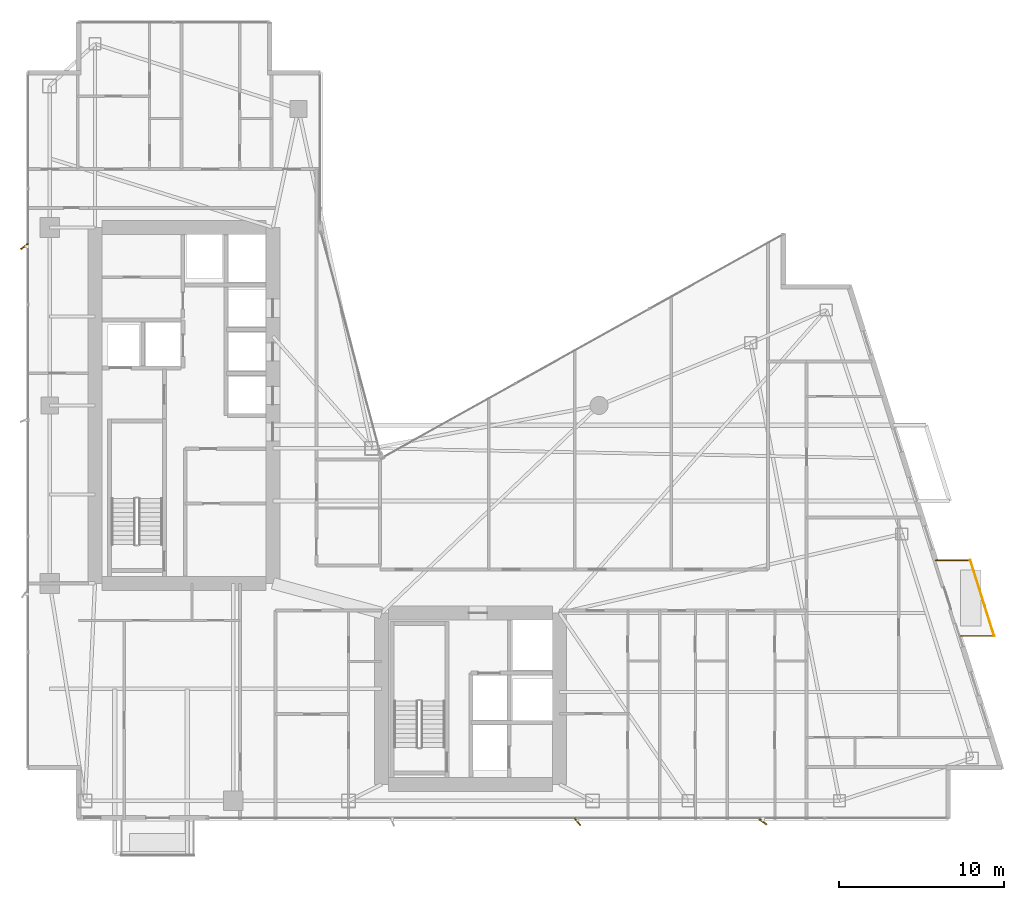
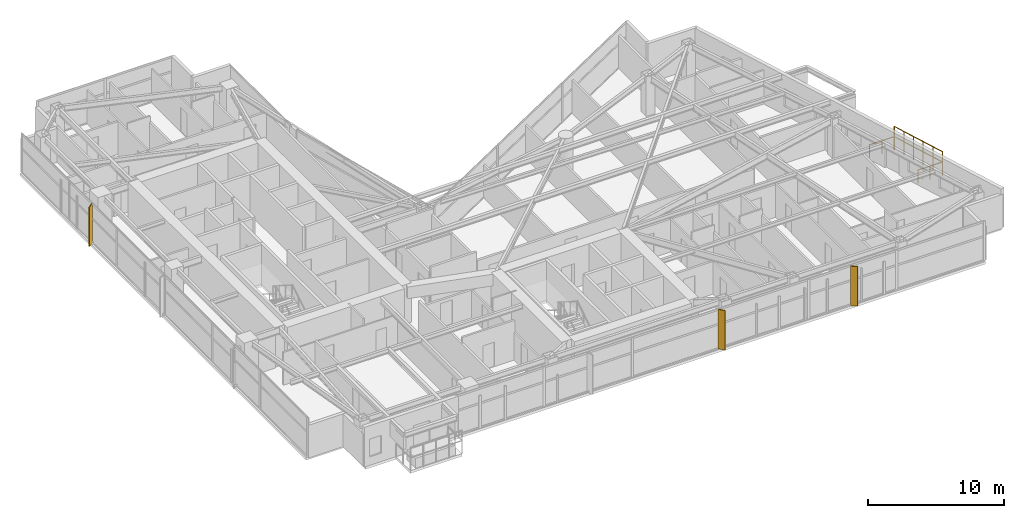
# One storey, part 28 of 28: 3 shading devices, 2 railings.
"""IFC4 building model written with IfcOpenShell, lengths in metres."""

from ifc_helpers import new_model, si_unit, direction, frame, origin, origin_2d, place, context, subcontext, project, spatial, rectangle, circle, extrude, material, type_object, element, save


model = new_model("IFC4")

# Units and contexts
model_context = context("Model", 3, precision=1e-05, world=origin(), true_north=direction((0.0, 1.0)))
body_context = subcontext(model_context, "Body", "Model", "MODEL_VIEW")
ifc_project = project(units=[si_unit("LENGTHUNIT", "METRE"), si_unit("AREAUNIT", "SQUARE_METRE"), si_unit("VOLUMEUNIT", "CUBIC_METRE"), si_unit("PLANEANGLEUNIT", "RADIAN"), si_unit("MASSUNIT", "GRAM", prefix="KILO")], contexts=[model_context])

# Site, building, storey
site_placement = place(None, origin())
site = spatial("IfcSite", under=ifc_project, at=site_placement, CompositionType="ELEMENT")
building_placement = place(site_placement, origin())
building = spatial("IfcBuilding", under=site, at=building_placement, Name="Calvorn Quay Hotel", CompositionType="ELEMENT")
storey_placement = place(building_placement, frame((0.0, 0.0, 178.89990234375)))
storey = spatial("IfcBuildingStorey", under=building, at=storey_placement, Name="L44", CompositionType="ELEMENT", Elevation=178.89990234375)

# Railings
ifc_material_1 = material(Name="Pale Anodised Aluminium and Laminated Glass", Category="aluminium")
railing_type = type_object("IfcRailingType", Name="RLG-BALUSTRADE-1200", PredefinedType="BALUSTRADE", material=ifc_material_1)
railing_1_placement = place(storey_placement, frame((56.68896484375, 13.60009765625, 0.0)))
element("IfcRailing", 1, at=railing_1_placement, inside=storey, type_object=railing_type, Name="Tree Balcony Perimeter Balustrade L44-BALC-E", PredefinedType="BALUSTRADE", context=body_context, shape_type="SweptSolid", body=[
    extrude(circle(Radius=0.02392578125, at=origin_2d()), frame((0.0, 0.0, 1.17578125), z_axis=(1.0, 0.0, 0.0), x_axis=(0.0, 1.0, 0.0)), (0.0, 0.0, 1.0), 2.10009765625),
    extrude(circle(Radius=0.02392578125, at=origin_2d()), frame((2.10009765625, 0.0, 1.17578125), z_axis=(-0.300450487966, 0.953797412599, 0.0), x_axis=(-0.953797412599, -0.300450487966, 0.0)), (0.0, 0.0, 1.0), 4.82275390625),
    extrude(circle(Radius=0.02392578125, at=origin_2d()), frame((0.651123046875, 4.599853515625, 1.17578125), z_axis=(-1.0, 0.0, 0.0), x_axis=(0.0, -1.0, 0.0)), (0.0, 0.0, 1.0), 2.10009765625),
    extrude(circle(Radius=0.02099609375, at=origin_2d()), origin(), (0.0, 0.0, 1.0), 1.15185546875),
    extrude(circle(Radius=0.02099609375, at=origin_2d()), frame((1.050048828125, 0.0, 0.0)), (0.0, 0.0, 1.0), 1.15185546875),
    extrude(circle(Radius=0.02099609375, at=origin_2d()), frame((2.10009765625, 0.0, 0.0)), (0.0, 0.0, 1.0), 1.15185546875),
    extrude(circle(Radius=0.02099609375, at=origin_2d()), frame((1.810302734375, 0.919921875, 0.0)), (0.0, 0.0, 1.0), 1.15185546875),
    extrude(circle(Radius=0.02099609375, at=origin_2d()), frame((1.5205078125, 1.83984375, 0.0)), (0.0, 0.0, 1.0), 1.15185546875),
    extrude(circle(Radius=0.02099609375, at=origin_2d()), frame((1.230712890625, 2.760009765625, 0.0)), (0.0, 0.0, 1.0), 1.15185546875),
    extrude(circle(Radius=0.02099609375, at=origin_2d()), frame((0.94091796875, 3.679931640625, 0.0)), (0.0, 0.0, 1.0), 1.15185546875),
    extrude(circle(Radius=0.02099609375, at=origin_2d()), frame((0.651123046875, 4.599853515625, 0.0)), (0.0, 0.0, 1.0), 1.15185546875),
    extrude(circle(Radius=0.02099609375, at=origin_2d()), frame((-0.39892578125, 4.599853515625, 0.0)), (0.0, 0.0, 1.0), 1.15185546875),
    extrude(circle(Radius=0.02099609375, at=origin_2d()), frame((-1.448974609375, 4.599853515625, 0.0)), (0.0, 0.0, 1.0), 1.15185546875),
])
railing_2_placement = place(storey_placement, frame((58.7890625, 13.60009765625, 0.900146484375)))
element("IfcRailing", 2, at=railing_2_placement, inside=storey, type_object=railing_type, Name="Planter Kerb High Safety Screen L44-BALC-E", PredefinedType="BALUSTRADE", context=body_context, shape_type="SweptSolid", body=[
    extrude(circle(Radius=0.02392578125, at=origin_2d()), frame((0.0, 0.0, 1.19580078125), z_axis=(-0.300450487966, 0.953797412599, 0.0), x_axis=(-0.953797412599, -0.300450487966, 0.0)), (0.0, 0.0, 1.0), 4.82275390625),
    extrude(circle(Radius=0.02099609375, at=origin_2d()), origin(), (0.0, 0.0, 1.0), 1.171875),
    extrude(circle(Radius=0.02099609375, at=origin_2d()), frame((-0.289794921875, 0.919921875, 0.0)), (0.0, 0.0, 1.0), 1.171875),
    extrude(circle(Radius=0.02099609375, at=origin_2d()), frame((-0.57958984375, 1.83984375, 0.0)), (0.0, 0.0, 1.0), 1.171875),
    extrude(circle(Radius=0.02099609375, at=origin_2d()), frame((-0.869384765625, 2.760009765625, 0.0)), (0.0, 0.0, 1.0), 1.171875),
    extrude(circle(Radius=0.02099609375, at=origin_2d()), frame((-1.1591796875, 3.679931640625, 0.0)), (0.0, 0.0, 1.0), 1.171875),
    extrude(circle(Radius=0.02099609375, at=origin_2d()), frame((-1.448974609375, 4.599853515625, 0.0)), (0.0, 0.0, 1.0), 1.171875),
])

# Shading devices
ifc_material_2 = material(Name="Champagne Bronze Anodised Aluminium 6063-T6", Category="aluminium")
shading_device_type_1 = type_object("IfcShadingDeviceType", Name="SHD-FIN-A2", PredefinedType="USERDEFINED", material=ifc_material_2)
for number, where, z_axis, x_axis, name in (
    (3, (-0.080078125, 37.25, 0.0), (0.0, 0.0, 1.0), (0.788010753607, 0.615661475326, 0.0), "Diagonal Sun-Shading Fin L44-W03"),
    (4, (33.5, 2.320068359375, 0.0), (0.0, 0.0, 1.0), (-0.615661475326, 0.788010753607, 0.0), "Diagonal Sun-Shading Fin L44-S02"),
):
    element("IfcShadingDevice", number, at=place(storey_placement, frame(where, z_axis=z_axis, x_axis=x_axis)), inside=storey, type_object=shading_device_type_1, Name=name, ObjectType="FIN", PredefinedType="USERDEFINED", context=body_context, shape_type="SweptSolid", body=[
        extrude(rectangle(XDim=0.550048828125, YDim=0.080078125, at=origin_2d()), origin(), (0.0, 0.0, 1.0), 3.56005859375),
    ])
ifc_material_3 = material(Name="Champagne Bronze Anodised Aluminium 6063-T6", Category="aluminium")
shading_device_type_2 = type_object("IfcShadingDeviceType", Name="SHD-FIN-A3", PredefinedType="USERDEFINED", material=ifc_material_3)
shading_device_placement = place(storey_placement, frame((44.75, 2.320068359375, 0.0), z_axis=(0.0, 0.0, 1.0), x_axis=(-0.809016994375, 0.587785252292, 0.0)))
element("IfcShadingDevice", 5, at=shading_device_placement, inside=storey, type_object=shading_device_type_2, Name="Diagonal Sun-Shading Fin L44-S03", ObjectType="FIN", PredefinedType="USERDEFINED", context=body_context, shape_type="SweptSolid", body=[
    extrude(rectangle(XDim=0.550048828125, YDim=0.080078125, at=origin_2d()), origin(), (0.0, 0.0, 1.0), 3.56005859375),
])

save(model, "model.ifc")
